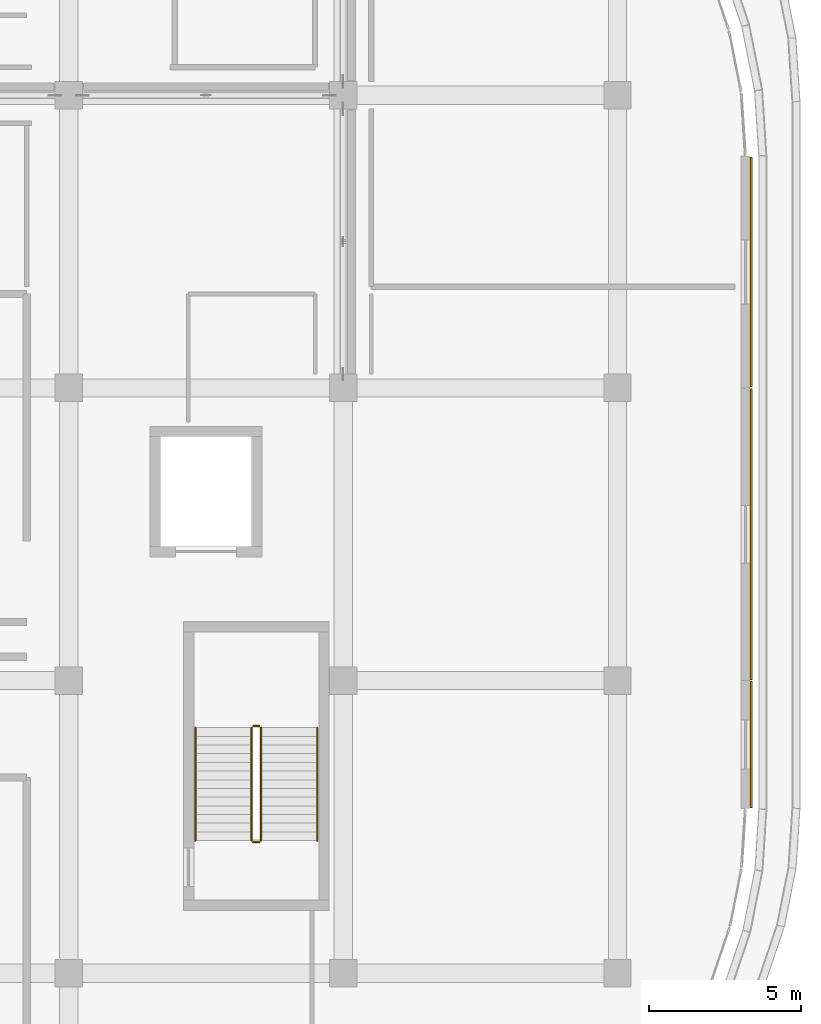
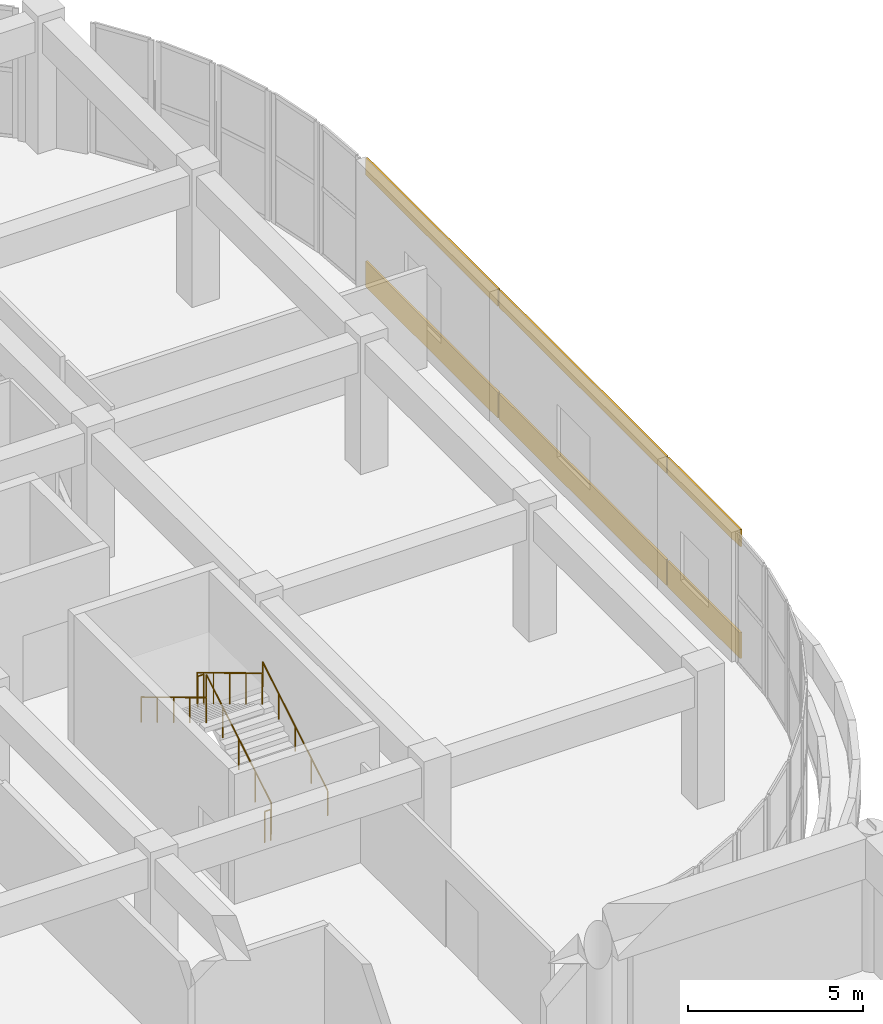
# One storey, part 94 of 96: 6 coverings, 6 railings.
"""IFC4 building model written with IfcOpenShell, lengths in metres."""

import ifcopenshell
import ifcopenshell.guid

model = None  # the IFC model being written
_history = None  # IfcOwnerHistory: only IFC2X3 demands one
_inside = {}  # id of a spatial element -> (the spatial element, [elements in it])
_under = {}  # id of a project, library or spatial element -> (it, [spatial elements below it])
_declared = {}  # id of a project -> (the project, [libraries it declares])
_typed = {}  # id of a type object -> (the type object, [elements of that type])
_made_of = {}  # id of a material, layer set ... -> (it, [elements and type objects made of it])


def new_model(schema):
    """Start an empty IFC model of exactly this schema.

    Asked for "IFC4X3", IfcOpenShell would pick the latest addendum, in which some entities
    have other attributes; the version numbers below select the first issue.
    IFC2X3 requires an IfcOwnerHistory on every rooted entity: one is made here for all.
    """
    global model, _history
    if schema == "IFC4X3":
        model = ifcopenshell.file(schema_version=(4, 3, 0, 0))
    else:
        model = ifcopenshell.file(schema=schema)
    _inside.clear()
    _under.clear()
    _declared.clear()
    _typed.clear()
    _made_of.clear()
    _history = None
    if model.schema == "IFC2X3":
        org = make("IfcOrganization", Name="unknown")
        user = make(
            "IfcPersonAndOrganization",
            ThePerson=make("IfcPerson", FamilyName="unknown"),
            TheOrganization=org,
        )
        app = make(
            "IfcApplication",
            ApplicationDeveloper=org,
            Version="unknown",
            ApplicationFullName="unknown",
            ApplicationIdentifier="unknown",
        )
        _history = make(
            "IfcOwnerHistory",
            OwningUser=user,
            OwningApplication=app,
            ChangeAction="ADDED",
            CreationDate=0,
        )
    return model


def make(cls, **values):
    """One entity of the class cls with the attributes given. An attribute that is None is left unset."""
    return model.create_entity(
        cls, **{name: value for name, value in values.items() if value is not None}
    )


def rooted(cls, **values):
    """An entity with a GlobalId (a new one), such as an element, a storey or a relation."""
    return make(cls, GlobalId=ifcopenshell.guid.new(), OwnerHistory=_history, **values)


def si_unit(unit_type, name, prefix=None):
    """IfcSIUnit, for example si_unit("LENGTHUNIT", "METRE", prefix="MILLI")."""
    return make("IfcSIUnit", UnitType=unit_type, Prefix=prefix, Name=name)


def assignment(units):
    """IfcUnitAssignment: the units of a project."""
    return None if units is None else make("IfcUnitAssignment", Units=units)


def point(xyz):
    """IfcCartesianPoint."""
    return None if xyz is None else make("IfcCartesianPoint", Coordinates=xyz)


def direction(xyz):
    """IfcDirection."""
    return None if xyz is None else make("IfcDirection", DirectionRatios=xyz)


def frame(location, z_axis=None, x_axis=None):
    """IfcAxis2Placement3D, a coordinate frame: its origin and axes. An axis left out is left unset."""
    return make(
        "IfcAxis2Placement3D",
        Location=point(location),
        Axis=direction(z_axis),
        RefDirection=direction(x_axis),
    )


def frame_2d(location, x_axis=None):
    """IfcAxis2Placement2D, a coordinate frame in the plane: its origin and x axis."""
    return make(
        "IfcAxis2Placement2D", Location=point(location), RefDirection=direction(x_axis)
    )


def origin():
    """The frame at (0, 0, 0) with its axes left unset."""
    return frame((0.0, 0.0, 0.0))


def origin_2d():
    """The frame at (0, 0) in the plane with its x axis left unset."""
    return frame_2d((0.0, 0.0))


def place(relative_to, where):
    """IfcLocalPlacement: puts the frame where relative to a parent placement (None: the world)."""
    return make(
        "IfcLocalPlacement", PlacementRelTo=relative_to, RelativePlacement=where
    )


def context(
    kind, dimensions, precision=None, world=None, true_north=None, identifier=None
):
    """IfcGeometricRepresentationContext, for example the 3D "Model" context."""
    return make(
        "IfcGeometricRepresentationContext",
        ContextIdentifier=identifier,
        ContextType=kind,
        CoordinateSpaceDimension=dimensions,
        Precision=precision,
        WorldCoordinateSystem=world,
        TrueNorth=true_north,
    )


def subcontext(parent, identifier, kind, view, scale=None):
    """IfcGeometricRepresentationSubContext, for example "Body" below "Model"."""
    return make(
        "IfcGeometricRepresentationSubContext",
        ContextIdentifier=identifier,
        ContextType=kind,
        ParentContext=parent,
        TargetScale=scale,
        TargetView=view,
    )


def project(units=None, contexts=None):
    """IfcProject with its units and contexts."""
    return rooted(
        "IfcProject",
        Name="project",
        RepresentationContexts=contexts,
        UnitsInContext=assignment(units),
    )


def spatial(cls, under=None, at=None, **own):
    """A site, building, storey or space (cls), placed at a placement, below another one or the project."""
    s = rooted(cls, ObjectPlacement=at, **own)
    if under is not None:
        _under.setdefault(under.id(), (under, []))[1].append(s)
    return s


def profile(cls, at=None, kind="AREA", **sizes):
    """A parametric profile (cls). Its sizes go by their IFC names, for example OverallWidth=200.0."""
    return make(cls, ProfileType=kind, Position=at, **sizes)


def rectangle(**sizes):
    """IfcRectangleProfileDef."""
    return profile("IfcRectangleProfileDef", **sizes)


def circle(**sizes):
    """IfcCircleProfileDef."""
    return profile("IfcCircleProfileDef", **sizes)


def extrude(swept, where, along, depth):
    """IfcExtrudedAreaSolid: the profile swept, set in the frame where, extruded along a direction by depth."""
    return make(
        "IfcExtrudedAreaSolid",
        SweptArea=swept,
        Position=where,
        ExtrudedDirection=direction(along),
        Depth=depth,
    )


def shape(context_of_items, identifier, shape_type, items):
    """IfcShapeRepresentation: the items that make up one representation, for example the "Body"."""
    return make(
        "IfcShapeRepresentation",
        ContextOfItems=context_of_items,
        RepresentationIdentifier=identifier,
        RepresentationType=shape_type,
        Items=items,
    )


def material(Name=None, Category=None):
    """IfcMaterial."""
    return make("IfcMaterial", Name=Name, Category=Category)


def layer(
    of_material, thickness, ventilated=None, Name=None, Category=None, Priority=None
):
    """IfcMaterialLayer: one layer of a wall or slab, of a material (None: an air gap)."""
    return make(
        "IfcMaterialLayer",
        Material=of_material,
        LayerThickness=thickness,
        IsVentilated=ventilated,
        Name=Name,
        Category=Category,
        Priority=Priority,
    )


def layer_set(layers, Name=None):
    """IfcMaterialLayerSet."""
    return make("IfcMaterialLayerSet", MaterialLayers=layers, LayerSetName=Name)


def made_of(thing, what):
    """Note that an element or type object is made of a material, layer set ...; save() writes the relation."""
    if what is not None:
        _made_of.setdefault(what.id(), (what, []))[1].append(thing)
    return thing


def type_object(cls, material=None, **own):
    """A type object (cls), such as IfcWallType, which elements share."""
    return made_of(rooted(cls, **own), material)


def element(
    cls,
    number,
    at=None,
    inside=None,
    cuts=None,
    type_object=None,
    material=None,
    context=None,
    identifier="Body",
    shape_type=None,
    held_by="IfcProductDefinitionShape",
    body=None,
    shapes=None,
    **own,
):
    """One element of the class cls, such as IfcWall. Its Tag is "e" and its number.

    at: its placement. inside: the storey or other place that contains it. cuts: it is an
    opening in that element (IfcRelVoidsElement). A single representation is given by context,
    identifier, shape_type and body (its items); several are given by shapes. held_by: the class
    of the entity that holds the representations. save() writes the other relations.
    """
    e = rooted(cls, Tag="e%d" % number, ObjectPlacement=at, **own)
    if body is not None:
        shapes = [shape(context, identifier, shape_type, body)]
    if shapes is not None:
        e.Representation = make(held_by, Representations=shapes)
    if inside is not None:
        _inside.setdefault(inside.id(), (inside, []))[1].append(e)
    if cuts is not None:
        rooted(
            "IfcRelVoidsElement", RelatingBuildingElement=cuts, RelatedOpeningElement=e
        )
    if type_object is not None:
        _typed.setdefault(type_object.id(), (type_object, []))[1].append(e)
    return made_of(e, material)


def aggregate(whole, parts):
    """IfcRelAggregates: a whole, such as a stair, and the parts it consists of."""
    return rooted("IfcRelAggregates", RelatingObject=whole, RelatedObjects=parts)


def save(model, path):
    """Write the relations noted so far, then the file.

    IfcRelAggregates (storeys below a building ...), IfcRelContainedInSpatialStructure (elements
    in a storey), IfcRelDefinesByType, IfcRelAssociatesMaterial and IfcRelDeclares: one each for
    every whole, place, type object, material and project.
    """
    for whole, parts in _under.values():
        aggregate(whole, parts)
    for where, things in _inside.values():
        rooted(
            "IfcRelContainedInSpatialStructure",
            RelatedElements=things,
            RelatingStructure=where,
        )
    for kind, things in _typed.values():
        rooted("IfcRelDefinesByType", RelatedObjects=things, RelatingType=kind)
    for what, things in _made_of.values():
        rooted("IfcRelAssociatesMaterial", RelatedObjects=things, RelatingMaterial=what)
    for by, libraries in _declared.values():
        rooted("IfcRelDeclares", RelatingContext=by, RelatedDefinitions=libraries)
    model.write(path)


model = new_model("IFC4")

# Units and contexts
model_context = context("Model", 3, precision=1e-05, world=origin(), true_north=direction((0.0, 1.0)))
body_context = subcontext(model_context, "Body", "Model", "MODEL_VIEW")
ifc_project = project(units=[si_unit("LENGTHUNIT", "METRE"), si_unit("AREAUNIT", "SQUARE_METRE"), si_unit("VOLUMEUNIT", "CUBIC_METRE"), si_unit("PLANEANGLEUNIT", "RADIAN"), si_unit("MASSUNIT", "GRAM", prefix="KILO")], contexts=[model_context])

# Site, building, storey
site_placement = place(None, origin())
site = spatial("IfcSite", under=ifc_project, at=site_placement, CompositionType="ELEMENT")
building_placement = place(site_placement, origin())
building = spatial("IfcBuilding", under=site, at=building_placement, Name="Cendralis Terraced Arcade", CompositionType="ELEMENT")
storey_placement = place(building_placement, frame((0.0, 0.0, 10.199951171875)))
storey = spatial("IfcBuildingStorey", under=building, at=storey_placement, Name="L02", CompositionType="ELEMENT", Elevation=10.199951171875)

# Coverings
ifc_material_1 = material(Name="Precast concrete f'c 40 MPa", Category="concrete")
ifc_layer = layer(ifc_material_1, 0.06494140625, Name="COV-CLAD-GRC-65")
ifc_layer_set = layer_set([ifc_layer], Name="Precast concrete f'c 40 MPa")
covering_type = type_object("IfcCoveringType", Name="COV-CLAD-GRC-65", PredefinedType="CLADDING", material=ifc_layer_set)
covering_1_placement = place(storey_placement, frame((170.580078125, 92.60009765625, 0.0), z_axis=(0.0, 0.0, 1.0), x_axis=(0.0, -1.0, 0.0)))
element("IfcCovering", 1, at=covering_1_placement, inside=storey, type_object=covering_type, Name="Banded Precast Stone Spandrel Cladding L02-279", PredefinedType="CLADDING", context=body_context, shape_type="SweptSolid", body=[
    extrude(rectangle(XDim=7.5400390625, YDim=0.06494140625, at=origin_2d()), origin(), (0.0, 0.0, 1.0), 0.89990234375),
])
covering_2_placement = place(storey_placement, frame((170.580078125, 92.60009765625, 3.89501953125), z_axis=(0.0, 0.0, 1.0), x_axis=(0.0, -1.0, 0.0)))
element("IfcCovering", 2, at=covering_2_placement, inside=storey, type_object=covering_type, Name="Banded Precast Stone Lintel Cladding L02-280", PredefinedType="CLADDING", context=body_context, shape_type="SweptSolid", body=[
    extrude(rectangle(XDim=7.5400390625, YDim=0.06494140625, at=origin_2d()), origin(), (0.0, 0.0, 1.0), 0.60009765625),
])
covering_3_placement = place(storey_placement, frame((170.580078125, 84.0, 0.0), z_axis=(0.0, 0.0, 1.0), x_axis=(0.0, -1.0, 0.0)))
element("IfcCovering", 3, at=covering_3_placement, inside=storey, type_object=covering_type, Name="Banded Precast Stone Spandrel Cladding L02-281", PredefinedType="CLADDING", context=body_context, shape_type="SweptSolid", body=[
    extrude(rectangle(XDim=9.5400390625, YDim=0.06494140625, at=origin_2d()), origin(), (0.0, 0.0, 1.0), 0.89990234375),
])
covering_4_placement = place(storey_placement, frame((170.580078125, 84.0, 3.89501953125), z_axis=(0.0, 0.0, 1.0), x_axis=(0.0, -1.0, 0.0)))
element("IfcCovering", 4, at=covering_4_placement, inside=storey, type_object=covering_type, Name="Banded Precast Stone Lintel Cladding L02-282", PredefinedType="CLADDING", context=body_context, shape_type="SweptSolid", body=[
    extrude(rectangle(XDim=9.5400390625, YDim=0.06494140625, at=origin_2d()), origin(), (0.0, 0.0, 1.0), 0.60009765625),
])
covering_5_placement = place(storey_placement, frame((170.580078125, 77.10009765625, 0.0), z_axis=(0.0, 0.0, 1.0), x_axis=(0.0, -1.0, 0.0)))
element("IfcCovering", 5, at=covering_5_placement, inside=storey, type_object=covering_type, Name="Banded Precast Stone Spandrel Cladding L02-283", PredefinedType="CLADDING", context=body_context, shape_type="SweptSolid", body=[
    extrude(rectangle(XDim=4.139892578125, YDim=0.06494140625, at=origin_2d()), origin(), (0.0, 0.0, 1.0), 0.89990234375),
])
covering_6_placement = place(storey_placement, frame((170.580078125, 77.10009765625, 3.89501953125), z_axis=(0.0, 0.0, 1.0), x_axis=(0.0, -1.0, 0.0)))
element("IfcCovering", 6, at=covering_6_placement, inside=storey, type_object=covering_type, Name="Banded Precast Stone Lintel Cladding L02-284", PredefinedType="CLADDING", context=body_context, shape_type="SweptSolid", body=[
    extrude(rectangle(XDim=4.139892578125, YDim=0.06494140625, at=origin_2d()), origin(), (0.0, 0.0, 1.0), 0.60009765625),
])

# Railings
ifc_material_2 = material(Name="Brushed stainless steel AISI 316", Category="steel")
railing_type_1 = type_object("IfcRailingType", Name="RL-STAIR-GUARD-1100", PredefinedType="GUARDRAIL", material=ifc_material_2)
railing_1_placement = place(storey_placement, frame((154.5, 73.949951171875, 0.17138671875)))
element("IfcRailing", 7, at=railing_1_placement, inside=storey, type_object=railing_type_1, Name="L02 ST-06 stair guard 1", PredefinedType="GUARDRAIL", context=body_context, shape_type="SweptSolid", body=[
    extrude(circle(Radius=0.02392578125, at=origin_2d()), frame((0.0, 0.0, 1.076171875), z_axis=(0.0, 0.856909459561, 0.515466951525), x_axis=(-1.0, 0.0, 0.0)), (0.0, 0.0, 1.0), 4.32373046875),
    extrude(circle(Radius=0.02099609375, at=origin_2d()), origin(), (0.0, 0.0, 1.0), 1.052001953125),
    extrude(circle(Radius=0.02099609375, at=origin_2d()), frame((0.0, 0.92626953125, 0.55712890625)), (0.0, 0.0, 1.0), 1.052001953125),
    extrude(circle(Radius=0.02099609375, at=origin_2d()), frame((0.0, 1.8525390625, 1.1142578125)), (0.0, 0.0, 1.0), 1.052001953125),
    extrude(circle(Radius=0.02099609375, at=origin_2d()), frame((0.0, 2.77880859375, 1.671630859375)), (0.0, 0.0, 1.0), 1.052001953125),
    extrude(circle(Radius=0.02099609375, at=origin_2d()), frame((0.0, 3.705078125, 2.228759765625)), (0.0, 0.0, 1.0), 1.052001953125),
])
railing_2_placement = place(storey_placement, frame((154.449951171875, 77.705078125, 2.400146484375)))
element("IfcRailing", 8, at=railing_2_placement, inside=storey, type_object=railing_type_1, Name="L02 ST-06 stair guard 2", PredefinedType="GUARDRAIL", context=body_context, shape_type="SweptSolid", body=[
    extrude(circle(Radius=0.02392578125, at=origin_2d()), frame((0.0, 0.0, 1.076171875), z_axis=(-1.0, 0.0, 0.0), x_axis=(0.0, -1.0, 0.0)), (0.0, 0.0, 1.0), 0.199951171875),
    extrude(circle(Radius=0.02099609375, at=origin_2d()), origin(), (0.0, 0.0, 1.0), 1.052001953125),
    extrude(circle(Radius=0.02099609375, at=origin_2d()), frame((-0.199951171875, 0.0, 0.0)), (0.0, 0.0, 1.0), 1.052001953125),
])
railing_3_placement = place(storey_placement, frame((154.199951171875, 77.655029296875, 2.571533203125)))
element("IfcRailing", 9, at=railing_3_placement, inside=storey, type_object=railing_type_1, Name="L02 ST-06 stair guard 3", PredefinedType="GUARDRAIL", context=body_context, shape_type="SweptSolid", body=[
    extrude(circle(Radius=0.02392578125, at=origin_2d()), frame((0.0, 0.0, 1.076171875), z_axis=(0.0, -0.856934400257, 0.515425487977), x_axis=(1.0, 0.0, 0.0)), (0.0, 0.0, 1.0), 4.32373046875),
    extrude(circle(Radius=0.02099609375, at=origin_2d()), origin(), (0.0, 0.0, 1.0), 1.052001953125),
    extrude(circle(Radius=0.02099609375, at=origin_2d()), frame((0.0, -0.92626953125, 0.55712890625)), (0.0, 0.0, 1.0), 1.052001953125),
    extrude(circle(Radius=0.02099609375, at=origin_2d()), frame((0.0, -1.8525390625, 1.1142578125)), (0.0, 0.0, 1.0), 1.052001953125),
    extrude(circle(Radius=0.02099609375, at=origin_2d()), frame((0.0, -2.77880859375, 1.67138671875)), (0.0, 0.0, 1.0), 1.052001953125),
    extrude(circle(Radius=0.02099609375, at=origin_2d()), frame((0.0, -3.705078125, 2.228515625)), (0.0, 0.0, 1.0), 1.052001953125),
])
railing_4_placement = place(storey_placement, frame((154.449951171875, 73.89990234375, 0.0)))
element("IfcRailing", 10, at=railing_4_placement, inside=storey, type_object=railing_type_1, Name="L02 ST-06 stair guard 4", PredefinedType="GUARDRAIL", context=body_context, shape_type="SweptSolid", body=[
    extrude(circle(Radius=0.02392578125, at=origin_2d()), frame((0.0, 0.0, 1.076171875), z_axis=(-1.0, 0.0, 0.0), x_axis=(0.0, -1.0, 0.0)), (0.0, 0.0, 1.0), 0.199951171875),
    extrude(circle(Radius=0.02099609375, at=origin_2d()), origin(), (0.0, 0.0, 1.0), 1.052001953125),
    extrude(circle(Radius=0.02099609375, at=origin_2d()), frame((-0.199951171875, 0.0, 0.0)), (0.0, 0.0, 1.0), 1.052001953125),
])
railing_type_2 = type_object("IfcRailingType", Name="RL-STAIR-HAND-900", PredefinedType="HANDRAIL", material=ifc_material_2)
railing_5_placement = place(storey_placement, frame((156.35009765625, 73.949951171875, 0.17138671875)))
element("IfcRailing", 11, at=railing_5_placement, inside=storey, type_object=railing_type_2, Name="L02 ST-06 stair handrail 1", PredefinedType="HANDRAIL", context=body_context, shape_type="SweptSolid", body=[
    extrude(circle(Radius=0.02392578125, at=origin_2d()), frame((0.0, 0.0, 0.8759765625), z_axis=(0.0, 0.856909459561, 0.515466951525), x_axis=(-1.0, 0.0, 0.0)), (0.0, 0.0, 1.0), 4.32373046875),
    extrude(circle(Radius=0.02099609375, at=origin_2d()), origin(), (0.0, 0.0, 1.0), 0.851806640625),
    extrude(circle(Radius=0.02099609375, at=origin_2d()), frame((0.0, 0.92626953125, 0.55712890625)), (0.0, 0.0, 1.0), 0.851806640625),
    extrude(circle(Radius=0.02099609375, at=origin_2d()), frame((0.0, 1.8525390625, 1.1142578125)), (0.0, 0.0, 1.0), 0.851806640625),
    extrude(circle(Radius=0.02099609375, at=origin_2d()), frame((0.0, 2.77880859375, 1.671630859375)), (0.0, 0.0, 1.0), 0.851806640625),
    extrude(circle(Radius=0.02099609375, at=origin_2d()), frame((0.0, 3.705078125, 2.228759765625)), (0.0, 0.0, 1.0), 0.851806640625),
])
railing_6_placement = place(storey_placement, frame((152.35009765625, 77.655029296875, 2.571533203125)))
element("IfcRailing", 12, at=railing_6_placement, inside=storey, type_object=railing_type_2, Name="L02 ST-06 stair handrail 2", PredefinedType="HANDRAIL", context=body_context, shape_type="SweptSolid", body=[
    extrude(circle(Radius=0.02392578125, at=origin_2d()), frame((0.0, 0.0, 0.8759765625), z_axis=(0.0, -0.856934400257, 0.515425487977), x_axis=(1.0, 0.0, 0.0)), (0.0, 0.0, 1.0), 4.32373046875),
    extrude(circle(Radius=0.02099609375, at=origin_2d()), origin(), (0.0, 0.0, 1.0), 0.851806640625),
    extrude(circle(Radius=0.02099609375, at=origin_2d()), frame((0.0, -0.92626953125, 0.55712890625)), (0.0, 0.0, 1.0), 0.851806640625),
    extrude(circle(Radius=0.02099609375, at=origin_2d()), frame((0.0, -1.8525390625, 1.1142578125)), (0.0, 0.0, 1.0), 0.851806640625),
    extrude(circle(Radius=0.02099609375, at=origin_2d()), frame((0.0, -2.77880859375, 1.67138671875)), (0.0, 0.0, 1.0), 0.851806640625),
    extrude(circle(Radius=0.02099609375, at=origin_2d()), frame((0.0, -3.705078125, 2.228515625)), (0.0, 0.0, 1.0), 0.851806640625),
])

save(model, "model.ifc")
